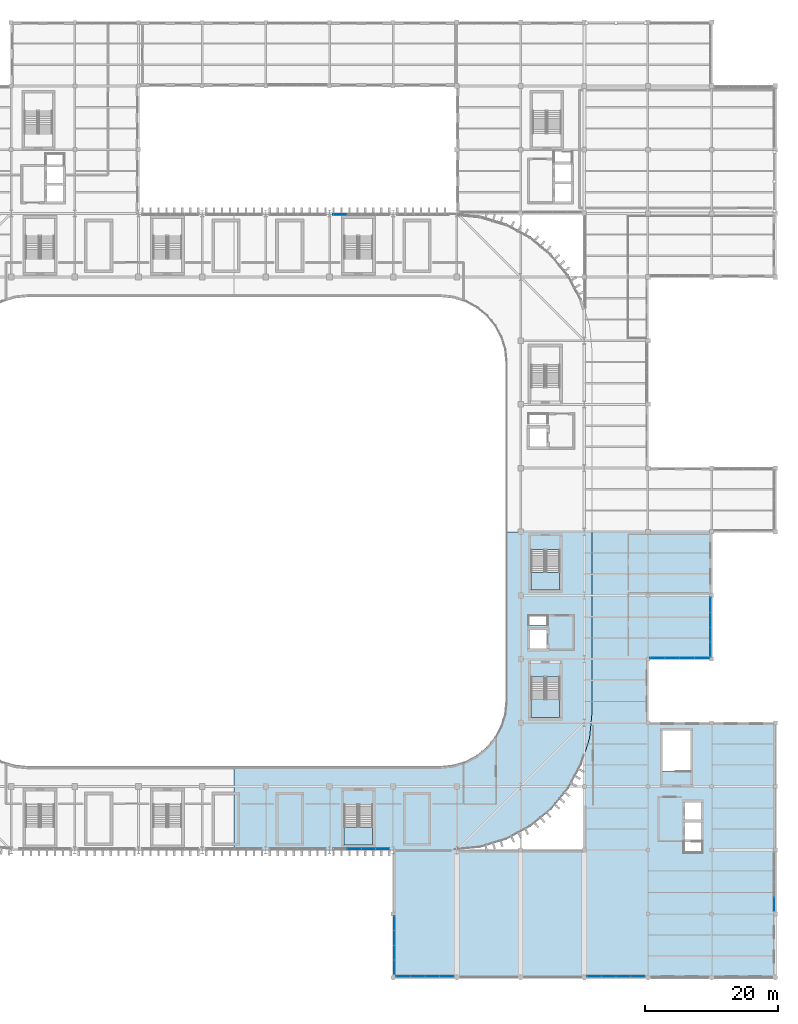
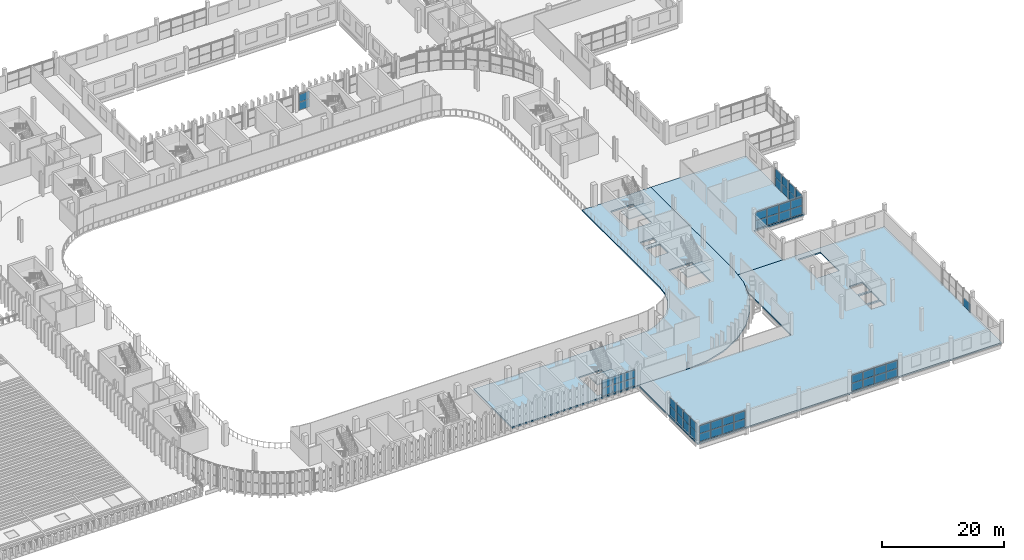
# One storey, part 51 of 92: 49 plates, 6 slabs, 11 elements without a shape of their own.
"""IFC4 building model written with IfcOpenShell, lengths in metres."""

from ifc_helpers import new_model, si_unit, direction, frame, origin, origin_2d, place, context, subcontext, project, spatial, polyline, rectangle, outline, extrude, material, layer, layer_set, type_object, element, aggregate, save


model = new_model("IFC4")

# Units and contexts
model_context = context("Model", 3, precision=1e-05, world=origin(), true_north=direction((0.0, 1.0)))
body_context = subcontext(model_context, "Body", "Model", "MODEL_VIEW")
ifc_project = project(units=[si_unit("LENGTHUNIT", "METRE"), si_unit("AREAUNIT", "SQUARE_METRE"), si_unit("VOLUMEUNIT", "CUBIC_METRE"), si_unit("PLANEANGLEUNIT", "RADIAN"), si_unit("MASSUNIT", "GRAM", prefix="KILO")], contexts=[model_context])

# Site, building, storey
site_placement = place(None, origin())
site = spatial("IfcSite", under=ifc_project, at=site_placement, CompositionType="ELEMENT")
building_placement = place(site_placement, origin())
building = spatial("IfcBuilding", under=site, at=building_placement, Name="Caelomonte Colonnade Arena", CompositionType="ELEMENT")
storey_placement = place(building_placement, frame((0.0, 0.0, 9.60009765625)))
storey = spatial("IfcBuildingStorey", under=building, at=storey_placement, Name="L02", CompositionType="ELEMENT", Elevation=9.60009765625)

# Curtain wall, plates
ifc_material_1 = material(Name="Bronze anodised aluminium and low-E glazing", Category="aluminium")
ifc_layer_1 = layer(ifc_material_1, 0.179931640625)
ifc_layer_set_1 = layer_set([ifc_layer_1], Name="Bronze anodised aluminium and low-E glazing")
curtain_wall_type_1 = type_object("IfcCurtainWallType", Name="ENV-CW-CW-L02-96-33", PredefinedType="USERDEFINED", material=ifc_layer_set_1)
curtain_wall_1_placement = place(storey_placement, origin())
curtain_wall_1 = element("IfcCurtainWall", 1, at=curtain_wall_1_placement, inside=storey, type_object=curtain_wall_type_1, Name="L02 unitized curtain wall CW-L02-1296-0194", ObjectType="UNITIZED CURTAIN WALL", PredefinedType="USERDEFINED")
ifc_material_2 = material(Name="Solar-control bronze low-E double glazing", Category="glass")
ifc_layer_2 = layer(ifc_material_2, 0.028076171875)
ifc_layer_set_2 = layer_set([ifc_layer_2], Name="Solar-control bronze low-E double glazing")
plate_type = type_object("IfcPlateType", Name="ENV-CW-PAN28", PredefinedType="CURTAIN_PANEL", material=ifc_layer_set_2)
plate_1_placement = place(storey_placement, frame((128.531494140625, 19.3798828125, 0.06982421875), z_axis=(0.0, 0.0, 1.0), x_axis=(1.0, 0.0, 0.0)))
plate_1 = element("IfcPlate", 2, at=plate_1_placement, type_object=plate_type, Name="CW-L02-96-33 panel 2.1", PredefinedType="CURTAIN_PANEL", context=body_context, shape_type="SweptSolid", body=[
    extrude(rectangle(XDim=2.067138671875, YDim=0.028076171875, at=origin_2d()), origin(), (0.0, 0.0, 1.0), 1.54150390625),
])
plate_2_placement = place(storey_placement, frame((128.531494140625, 19.3798828125, 1.681396484375), z_axis=(0.0, 0.0, 1.0), x_axis=(1.0, 0.0, 0.0)))
plate_2 = element("IfcPlate", 3, at=plate_2_placement, type_object=plate_type, Name="CW-L02-96-33 panel 2.2", PredefinedType="CURTAIN_PANEL", context=body_context, shape_type="SweptSolid", body=[
    extrude(rectangle(XDim=2.067138671875, YDim=0.028076171875, at=origin_2d()), origin(), (0.0, 0.0, 1.0), 1.54150390625),
])
plate_3_placement = place(storey_placement, frame((130.668701171875, 19.3798828125, 0.06982421875), z_axis=(0.0, 0.0, 1.0), x_axis=(1.0, 0.0, 0.0)))
plate_3 = element("IfcPlate", 4, at=plate_3_placement, type_object=plate_type, Name="CW-L02-96-33 panel 3.1", PredefinedType="CURTAIN_PANEL", context=body_context, shape_type="SweptSolid", body=[
    extrude(rectangle(XDim=2.067138671875, YDim=0.028076171875, at=origin_2d()), origin(), (0.0, 0.0, 1.0), 1.54150390625),
])
plate_4_placement = place(storey_placement, frame((130.668701171875, 19.3798828125, 1.681396484375), z_axis=(0.0, 0.0, 1.0), x_axis=(1.0, 0.0, 0.0)))
plate_4 = element("IfcPlate", 5, at=plate_4_placement, type_object=plate_type, Name="CW-L02-96-33 panel 3.2", PredefinedType="CURTAIN_PANEL", context=body_context, shape_type="SweptSolid", body=[
    extrude(rectangle(XDim=2.067138671875, YDim=0.028076171875, at=origin_2d()), origin(), (0.0, 0.0, 1.0), 1.54150390625),
])
plate_5_placement = place(storey_placement, frame((132.788330078125, 19.3798828125, 0.06982421875), z_axis=(0.0, 0.0, 1.0), x_axis=(1.0, 0.0, 0.0)))
plate_5 = element("IfcPlate", 6, at=plate_5_placement, type_object=plate_type, Name="CW-L02-96-33 panel 4.1", PredefinedType="CURTAIN_PANEL", context=body_context, shape_type="SweptSolid", body=[
    extrude(rectangle(XDim=2.0322265625, YDim=0.028076171875, at=origin_2d()), origin(), (0.0, 0.0, 1.0), 1.54150390625),
])
plate_6_placement = place(storey_placement, frame((132.788330078125, 19.3798828125, 1.681396484375), z_axis=(0.0, 0.0, 1.0), x_axis=(1.0, 0.0, 0.0)))
plate_6 = element("IfcPlate", 7, at=plate_6_placement, type_object=plate_type, Name="CW-L02-96-33 panel 4.2", PredefinedType="CURTAIN_PANEL", context=body_context, shape_type="SweptSolid", body=[
    extrude(rectangle(XDim=2.0322265625, YDim=0.028076171875, at=origin_2d()), origin(), (0.0, 0.0, 1.0), 1.54150390625),
])
aggregate(curtain_wall_1, [plate_1, plate_2, plate_3, plate_4, plate_5, plate_6])

ifc_layer_3 = layer(ifc_material_1, 0.179931640625)
ifc_layer_set_3 = layer_set([ifc_layer_3], Name="Bronze anodised aluminium and low-E glazing")
curtain_wall_type_2 = type_object("IfcCurtainWallType", Name="ENV-CW-CW-L02-92-36", PredefinedType="USERDEFINED", material=ifc_layer_set_3)
curtain_wall_2_placement = place(storey_placement, origin())
curtain_wall_2 = element("IfcCurtainWall", 8, at=curtain_wall_2_placement, inside=storey, type_object=curtain_wall_type_2, Name="L02 unitized curtain wall CW-L02-1346-0050", ObjectType="UNITIZED CURTAIN WALL", PredefinedType="USERDEFINED")
plate_7_placement = place(storey_placement, frame((134.580078125, 8.153076171875, 0.06494140625), z_axis=(0.0, 0.0, 1.0), x_axis=(0.0, -1.0, 0.0)))
plate_7 = element("IfcPlate", 9, at=plate_7_placement, type_object=plate_type, Name="CW-L02-92-36 panel 1.1", PredefinedType="CURTAIN_PANEL", context=body_context, shape_type="SweptSolid", body=[
    extrude(rectangle(XDim=2.123779296875, YDim=0.028076171875, at=origin_2d()), origin(), (0.0, 0.0, 1.0), 1.708984375),
])
plate_8_placement = place(storey_placement, frame((134.580078125, 8.153076171875, 1.8388671875), z_axis=(0.0, 0.0, 1.0), x_axis=(0.0, -1.0, 0.0)))
plate_8 = element("IfcPlate", 10, at=plate_8_placement, type_object=plate_type, Name="CW-L02-92-36 panel 1.2", PredefinedType="CURTAIN_PANEL", context=body_context, shape_type="SweptSolid", body=[
    extrude(rectangle(XDim=2.123779296875, YDim=0.028076171875, at=origin_2d()), origin(), (0.0, 0.0, 1.0), 1.708984375),
])
plate_9_placement = place(storey_placement, frame((134.580078125, 5.9482421875, 0.06494140625), z_axis=(0.0, 0.0, 1.0), x_axis=(0.0, -1.0, 0.0)))
plate_9 = element("IfcPlate", 11, at=plate_9_placement, type_object=plate_type, Name="CW-L02-92-36 panel 2.1", PredefinedType="CURTAIN_PANEL", context=body_context, shape_type="SweptSolid", body=[
    extrude(rectangle(XDim=2.15625, YDim=0.028076171875, at=origin_2d()), origin(), (0.0, 0.0, 1.0), 1.708984375),
])
plate_10_placement = place(storey_placement, frame((134.580078125, 5.9482421875, 1.8388671875), z_axis=(0.0, 0.0, 1.0), x_axis=(0.0, -1.0, 0.0)))
plate_10 = element("IfcPlate", 12, at=plate_10_placement, type_object=plate_type, Name="CW-L02-92-36 panel 2.2", PredefinedType="CURTAIN_PANEL", context=body_context, shape_type="SweptSolid", body=[
    extrude(rectangle(XDim=2.15625, YDim=0.028076171875, at=origin_2d()), origin(), (0.0, 0.0, 1.0), 1.708984375),
])
plate_11_placement = place(storey_placement, frame((134.580078125, 3.726806640625, 0.06494140625), z_axis=(0.0, 0.0, 1.0), x_axis=(0.0, -1.0, 0.0)))
plate_11 = element("IfcPlate", 13, at=plate_11_placement, type_object=plate_type, Name="CW-L02-92-36 panel 3.1", PredefinedType="CURTAIN_PANEL", context=body_context, shape_type="SweptSolid", body=[
    extrude(rectangle(XDim=2.15625, YDim=0.028076171875, at=origin_2d()), origin(), (0.0, 0.0, 1.0), 1.708984375),
])
plate_12_placement = place(storey_placement, frame((134.580078125, 3.726806640625, 1.8388671875), z_axis=(0.0, 0.0, 1.0), x_axis=(0.0, -1.0, 0.0)))
plate_12 = element("IfcPlate", 14, at=plate_12_placement, type_object=plate_type, Name="CW-L02-92-36 panel 3.2", PredefinedType="CURTAIN_PANEL", context=body_context, shape_type="SweptSolid", body=[
    extrude(rectangle(XDim=2.15625, YDim=0.028076171875, at=origin_2d()), origin(), (0.0, 0.0, 1.0), 1.708984375),
])
plate_13_placement = place(storey_placement, frame((134.580078125, 1.52197265625, 0.06494140625), z_axis=(0.0, 0.0, 1.0), x_axis=(0.0, -1.0, 0.0)))
plate_13 = element("IfcPlate", 15, at=plate_13_placement, type_object=plate_type, Name="CW-L02-92-36 panel 4.1", PredefinedType="CURTAIN_PANEL", context=body_context, shape_type="SweptSolid", body=[
    extrude(rectangle(XDim=2.123779296875, YDim=0.028076171875, at=origin_2d()), origin(), (0.0, 0.0, 1.0), 1.708984375),
])
plate_14_placement = place(storey_placement, frame((134.580078125, 1.52197265625, 1.8388671875), z_axis=(0.0, 0.0, 1.0), x_axis=(0.0, -1.0, 0.0)))
plate_14 = element("IfcPlate", 16, at=plate_14_placement, type_object=plate_type, Name="CW-L02-92-36 panel 4.2", PredefinedType="CURTAIN_PANEL", context=body_context, shape_type="SweptSolid", body=[
    extrude(rectangle(XDim=2.123779296875, YDim=0.028076171875, at=origin_2d()), origin(), (0.0, 0.0, 1.0), 1.708984375),
])
aggregate(curtain_wall_2, [plate_7, plate_8, plate_9, plate_10, plate_11, plate_12, plate_13, plate_14])

ifc_layer_4 = layer(ifc_material_1, 0.179931640625)
ifc_layer_set_4 = layer_set([ifc_layer_4], Name="Bronze anodised aluminium and low-E glazing")
curtain_wall_type_3 = type_object("IfcCurtainWallType", Name="ENV-CW-CW-L02-89-33", PredefinedType="USERDEFINED", material=ifc_layer_set_4)
curtain_wall_3_placement = place(storey_placement, origin())
curtain_wall_3 = element("IfcCurtainWall", 17, at=curtain_wall_3_placement, inside=storey, type_object=curtain_wall_type_3, Name="L02 unitized curtain wall CW-L02-1392-0002", ObjectType="UNITIZED CURTAIN WALL", PredefinedType="USERDEFINED")
plate_15_placement = place(storey_placement, frame((135.91259765625, 0.179931640625, 0.06494140625), z_axis=(0.0, 0.0, 1.0), x_axis=(1.0, 0.0, 0.0)))
plate_15 = element("IfcPlate", 18, at=plate_15_placement, type_object=plate_type, Name="CW-L02-89-33 panel 1.1", PredefinedType="CURTAIN_PANEL", context=body_context, shape_type="SweptSolid", body=[
    extrude(rectangle(XDim=2.10498046875, YDim=0.028076171875, at=origin_2d()), origin(), (0.0, 0.0, 1.0), 1.549072265625),
])
plate_16_placement = place(storey_placement, frame((135.91259765625, 0.179931640625, 1.6787109375), z_axis=(0.0, 0.0, 1.0), x_axis=(1.0, 0.0, 0.0)))
plate_16 = element("IfcPlate", 19, at=plate_16_placement, type_object=plate_type, Name="CW-L02-89-33 panel 1.2", PredefinedType="CURTAIN_PANEL", context=body_context, shape_type="SweptSolid", body=[
    extrude(rectangle(XDim=2.10498046875, YDim=0.028076171875, at=origin_2d()), origin(), (0.0, 0.0, 1.0), 1.549072265625),
])
plate_17_placement = place(storey_placement, frame((138.0986328125, 0.179931640625, 0.06494140625), z_axis=(0.0, 0.0, 1.0), x_axis=(1.0, 0.0, 0.0)))
plate_17 = element("IfcPlate", 20, at=plate_17_placement, type_object=plate_type, Name="CW-L02-89-33 panel 2.1", PredefinedType="CURTAIN_PANEL", context=body_context, shape_type="SweptSolid", body=[
    extrude(rectangle(XDim=2.137451171875, YDim=0.028076171875, at=origin_2d()), origin(), (0.0, 0.0, 1.0), 1.549072265625),
])
plate_18_placement = place(storey_placement, frame((138.0986328125, 0.179931640625, 1.6787109375), z_axis=(0.0, 0.0, 1.0), x_axis=(1.0, 0.0, 0.0)))
plate_18 = element("IfcPlate", 21, at=plate_18_placement, type_object=plate_type, Name="CW-L02-89-33 panel 2.2", PredefinedType="CURTAIN_PANEL", context=body_context, shape_type="SweptSolid", body=[
    extrude(rectangle(XDim=2.137451171875, YDim=0.028076171875, at=origin_2d()), origin(), (0.0, 0.0, 1.0), 1.549072265625),
])
plate_19_placement = place(storey_placement, frame((140.30126953125, 0.179931640625, 0.06494140625), z_axis=(0.0, 0.0, 1.0), x_axis=(1.0, 0.0, 0.0)))
plate_19 = element("IfcPlate", 22, at=plate_19_placement, type_object=plate_type, Name="CW-L02-89-33 panel 3.1", PredefinedType="CURTAIN_PANEL", context=body_context, shape_type="SweptSolid", body=[
    extrude(rectangle(XDim=2.137451171875, YDim=0.028076171875, at=origin_2d()), origin(), (0.0, 0.0, 1.0), 1.549072265625),
])
plate_20_placement = place(storey_placement, frame((140.30126953125, 0.179931640625, 1.6787109375), z_axis=(0.0, 0.0, 1.0), x_axis=(1.0, 0.0, 0.0)))
plate_20 = element("IfcPlate", 23, at=plate_20_placement, type_object=plate_type, Name="CW-L02-89-33 panel 3.2", PredefinedType="CURTAIN_PANEL", context=body_context, shape_type="SweptSolid", body=[
    extrude(rectangle(XDim=2.137451171875, YDim=0.028076171875, at=origin_2d()), origin(), (0.0, 0.0, 1.0), 1.549072265625),
])
plate_21_placement = place(storey_placement, frame((142.487548828125, 0.179931640625, 0.06494140625), z_axis=(0.0, 0.0, 1.0), x_axis=(1.0, 0.0, 0.0)))
plate_21 = element("IfcPlate", 24, at=plate_21_placement, type_object=plate_type, Name="CW-L02-89-33 panel 4.1", PredefinedType="CURTAIN_PANEL", context=body_context, shape_type="SweptSolid", body=[
    extrude(rectangle(XDim=2.10498046875, YDim=0.028076171875, at=origin_2d()), origin(), (0.0, 0.0, 1.0), 1.549072265625),
])
plate_22_placement = place(storey_placement, frame((142.487548828125, 0.179931640625, 1.6787109375), z_axis=(0.0, 0.0, 1.0), x_axis=(1.0, 0.0, 0.0)))
plate_22 = element("IfcPlate", 25, at=plate_22_placement, type_object=plate_type, Name="CW-L02-89-33 panel 4.2", PredefinedType="CURTAIN_PANEL", context=body_context, shape_type="SweptSolid", body=[
    extrude(rectangle(XDim=2.10498046875, YDim=0.028076171875, at=origin_2d()), origin(), (0.0, 0.0, 1.0), 1.549072265625),
])
aggregate(curtain_wall_3, [plate_15, plate_16, plate_17, plate_18, plate_19, plate_20, plate_21, plate_22])

curtain_wall_4_placement = place(storey_placement, origin())
curtain_wall_4 = element("IfcCurtainWall", 26, at=curtain_wall_4_placement, inside=storey, type_object=curtain_wall_type_3, Name="L02 unitized curtain wall CW-L02-1680-0002", ObjectType="UNITIZED CURTAIN WALL", PredefinedType="USERDEFINED")
plate_23_placement = place(storey_placement, frame((164.71240234375, 0.179931640625, 0.06494140625), z_axis=(0.0, 0.0, 1.0), x_axis=(1.0, 0.0, 0.0)))
plate_23 = element("IfcPlate", 27, at=plate_23_placement, type_object=plate_type, Name="CW-L02-89-33 panel 1.1", PredefinedType="CURTAIN_PANEL", context=body_context, shape_type="SweptSolid", body=[
    extrude(rectangle(XDim=2.10498046875, YDim=0.028076171875, at=origin_2d()), origin(), (0.0, 0.0, 1.0), 1.549072265625),
])
plate_24_placement = place(storey_placement, frame((164.71240234375, 0.179931640625, 1.6787109375), z_axis=(0.0, 0.0, 1.0), x_axis=(1.0, 0.0, 0.0)))
plate_24 = element("IfcPlate", 28, at=plate_24_placement, type_object=plate_type, Name="CW-L02-89-33 panel 1.2", PredefinedType="CURTAIN_PANEL", context=body_context, shape_type="SweptSolid", body=[
    extrude(rectangle(XDim=2.10498046875, YDim=0.028076171875, at=origin_2d()), origin(), (0.0, 0.0, 1.0), 1.549072265625),
])
plate_25_placement = place(storey_placement, frame((166.898681640625, 0.179931640625, 0.06494140625), z_axis=(0.0, 0.0, 1.0), x_axis=(1.0, 0.0, 0.0)))
plate_25 = element("IfcPlate", 29, at=plate_25_placement, type_object=plate_type, Name="CW-L02-89-33 panel 2.1", PredefinedType="CURTAIN_PANEL", context=body_context, shape_type="SweptSolid", body=[
    extrude(rectangle(XDim=2.137451171875, YDim=0.028076171875, at=origin_2d()), origin(), (0.0, 0.0, 1.0), 1.549072265625),
])
plate_26_placement = place(storey_placement, frame((166.898681640625, 0.179931640625, 1.6787109375), z_axis=(0.0, 0.0, 1.0), x_axis=(1.0, 0.0, 0.0)))
plate_26 = element("IfcPlate", 30, at=plate_26_placement, type_object=plate_type, Name="CW-L02-89-33 panel 2.2", PredefinedType="CURTAIN_PANEL", context=body_context, shape_type="SweptSolid", body=[
    extrude(rectangle(XDim=2.137451171875, YDim=0.028076171875, at=origin_2d()), origin(), (0.0, 0.0, 1.0), 1.549072265625),
])
plate_27_placement = place(storey_placement, frame((169.101318359375, 0.179931640625, 0.06494140625), z_axis=(0.0, 0.0, 1.0), x_axis=(1.0, 0.0, 0.0)))
plate_27 = element("IfcPlate", 31, at=plate_27_placement, type_object=plate_type, Name="CW-L02-89-33 panel 3.1", PredefinedType="CURTAIN_PANEL", context=body_context, shape_type="SweptSolid", body=[
    extrude(rectangle(XDim=2.137451171875, YDim=0.028076171875, at=origin_2d()), origin(), (0.0, 0.0, 1.0), 1.549072265625),
])
plate_28_placement = place(storey_placement, frame((169.101318359375, 0.179931640625, 1.6787109375), z_axis=(0.0, 0.0, 1.0), x_axis=(1.0, 0.0, 0.0)))
plate_28 = element("IfcPlate", 32, at=plate_28_placement, type_object=plate_type, Name="CW-L02-89-33 panel 3.2", PredefinedType="CURTAIN_PANEL", context=body_context, shape_type="SweptSolid", body=[
    extrude(rectangle(XDim=2.137451171875, YDim=0.028076171875, at=origin_2d()), origin(), (0.0, 0.0, 1.0), 1.549072265625),
])
plate_29_placement = place(storey_placement, frame((171.28759765625, 0.179931640625, 0.06494140625), z_axis=(0.0, 0.0, 1.0), x_axis=(1.0, 0.0, 0.0)))
plate_29 = element("IfcPlate", 33, at=plate_29_placement, type_object=plate_type, Name="CW-L02-89-33 panel 4.1", PredefinedType="CURTAIN_PANEL", context=body_context, shape_type="SweptSolid", body=[
    extrude(rectangle(XDim=2.10498046875, YDim=0.028076171875, at=origin_2d()), origin(), (0.0, 0.0, 1.0), 1.549072265625),
])
plate_30_placement = place(storey_placement, frame((171.28759765625, 0.179931640625, 1.6787109375), z_axis=(0.0, 0.0, 1.0), x_axis=(1.0, 0.0, 0.0)))
plate_30 = element("IfcPlate", 34, at=plate_30_placement, type_object=plate_type, Name="CW-L02-89-33 panel 4.2", PredefinedType="CURTAIN_PANEL", context=body_context, shape_type="SweptSolid", body=[
    extrude(rectangle(XDim=2.10498046875, YDim=0.028076171875, at=origin_2d()), origin(), (0.0, 0.0, 1.0), 1.549072265625),
])
aggregate(curtain_wall_4, [plate_23, plate_24, plate_25, plate_26, plate_27, plate_28, plate_29, plate_30])

# Curtain wall, plate
ifc_layer_5 = layer(ifc_material_1, 0.179931640625)
ifc_layer_set_5 = layer_set([ifc_layer_5], Name="Bronze anodised aluminium and low-E glazing")
curtain_wall_type_4 = type_object("IfcCurtainWallType", Name="ENV-CW-CW-L02-96-35", PredefinedType="USERDEFINED", material=ifc_layer_set_5)
curtain_wall_5_placement = place(storey_placement, origin())
curtain_wall_5 = element("IfcCurtainWall", 35, at=curtain_wall_5_placement, inside=storey, type_object=curtain_wall_type_4, Name="L02 unitized curtain wall CW-L02-1918-0144", ObjectType="UNITIZED CURTAIN WALL", PredefinedType="USERDEFINED")
plate_31_placement = place(storey_placement, frame((191.820068359375, 11.05615234375, 0.06494140625), z_axis=(0.0, 0.0, 1.0), x_axis=(0.0, 1.0, 0.0)))
plate_31 = element("IfcPlate", 36, at=plate_31_placement, type_object=plate_type, Name="CW-L02-96-35 panel 1.1", PredefinedType="CURTAIN_PANEL", context=body_context, shape_type="SweptSolid", body=[
    extrude(rectangle(XDim=2.142578125, YDim=0.028076171875, at=origin_2d()), origin(), (0.0, 0.0, 1.0), 1.637451171875),
])
aggregate(curtain_wall_5, [plate_31])

# Curtain wall, plates
curtain_wall_6_placement = place(storey_placement, origin())
curtain_wall_6 = element("IfcCurtainWall", 37, at=curtain_wall_6_placement, inside=storey, type_object=curtain_wall_type_4, Name="L02 unitized curtain wall CW-L02-1776-0482", ObjectType="UNITIZED CURTAIN WALL", PredefinedType="USERDEFINED")
plate_32_placement = place(storey_placement, frame((174.25634765625, 48.179931640625, 0.06494140625), z_axis=(0.0, 0.0, 1.0), x_axis=(1.0, 0.0, 0.0)))
plate_32 = element("IfcPlate", 38, at=plate_32_placement, type_object=plate_type, Name="CW-L02-96-35 panel 1.1", PredefinedType="CURTAIN_PANEL", context=body_context, shape_type="SweptSolid", body=[
    extrude(rectangle(XDim=2.142578125, YDim=0.028076171875, at=origin_2d()), origin(), (0.0, 0.0, 1.0), 1.63525390625),
])
plate_33_placement = place(storey_placement, frame((174.25634765625, 48.179931640625, 1.76513671875), z_axis=(0.0, 0.0, 1.0), x_axis=(1.0, 0.0, 0.0)))
plate_33 = element("IfcPlate", 39, at=plate_33_placement, type_object=plate_type, Name="CW-L02-96-35 panel 1.2", PredefinedType="CURTAIN_PANEL", context=body_context, shape_type="SweptSolid", body=[
    extrude(rectangle(XDim=2.142578125, YDim=0.028076171875, at=origin_2d()), origin(), (0.0, 0.0, 1.0), 1.63525390625),
])
plate_34_placement = place(storey_placement, frame((176.47998046875, 48.179931640625, 0.06494140625), z_axis=(0.0, 0.0, 1.0), x_axis=(1.0, 0.0, 0.0)))
plate_34 = element("IfcPlate", 40, at=plate_34_placement, type_object=plate_type, Name="CW-L02-96-35 panel 2.1", PredefinedType="CURTAIN_PANEL", context=body_context, shape_type="SweptSolid", body=[
    extrude(rectangle(XDim=2.175048828125, YDim=0.028076171875, at=origin_2d()), origin(), (0.0, 0.0, 1.0), 1.63525390625),
])
plate_35_placement = place(storey_placement, frame((176.47998046875, 48.179931640625, 1.76513671875), z_axis=(0.0, 0.0, 1.0), x_axis=(1.0, 0.0, 0.0)))
plate_35 = element("IfcPlate", 41, at=plate_35_placement, type_object=plate_type, Name="CW-L02-96-35 panel 2.2", PredefinedType="CURTAIN_PANEL", context=body_context, shape_type="SweptSolid", body=[
    extrude(rectangle(XDim=2.175048828125, YDim=0.028076171875, at=origin_2d()), origin(), (0.0, 0.0, 1.0), 1.63525390625),
])
plate_36_placement = place(storey_placement, frame((178.719970703125, 48.179931640625, 0.06494140625), z_axis=(0.0, 0.0, 1.0), x_axis=(1.0, 0.0, 0.0)))
plate_36 = element("IfcPlate", 42, at=plate_36_placement, type_object=plate_type, Name="CW-L02-96-35 panel 3.1", PredefinedType="CURTAIN_PANEL", context=body_context, shape_type="SweptSolid", body=[
    extrude(rectangle(XDim=2.175048828125, YDim=0.028076171875, at=origin_2d()), origin(), (0.0, 0.0, 1.0), 1.63525390625),
])
plate_37_placement = place(storey_placement, frame((178.719970703125, 48.179931640625, 1.76513671875), z_axis=(0.0, 0.0, 1.0), x_axis=(1.0, 0.0, 0.0)))
plate_37 = element("IfcPlate", 43, at=plate_37_placement, type_object=plate_type, Name="CW-L02-96-35 panel 3.2", PredefinedType="CURTAIN_PANEL", context=body_context, shape_type="SweptSolid", body=[
    extrude(rectangle(XDim=2.175048828125, YDim=0.028076171875, at=origin_2d()), origin(), (0.0, 0.0, 1.0), 1.63525390625),
])
plate_38_placement = place(storey_placement, frame((180.94384765625, 48.179931640625, 0.06494140625), z_axis=(0.0, 0.0, 1.0), x_axis=(1.0, 0.0, 0.0)))
plate_38 = element("IfcPlate", 44, at=plate_38_placement, type_object=plate_type, Name="CW-L02-96-35 panel 4.1", PredefinedType="CURTAIN_PANEL", context=body_context, shape_type="SweptSolid", body=[
    extrude(rectangle(XDim=2.142578125, YDim=0.028076171875, at=origin_2d()), origin(), (0.0, 0.0, 1.0), 1.63525390625),
])
plate_39_placement = place(storey_placement, frame((180.94384765625, 48.179931640625, 1.76513671875), z_axis=(0.0, 0.0, 1.0), x_axis=(1.0, 0.0, 0.0)))
plate_39 = element("IfcPlate", 45, at=plate_39_placement, type_object=plate_type, Name="CW-L02-96-35 panel 4.2", PredefinedType="CURTAIN_PANEL", context=body_context, shape_type="SweptSolid", body=[
    extrude(rectangle(XDim=2.142578125, YDim=0.028076171875, at=origin_2d()), origin(), (0.0, 0.0, 1.0), 1.63525390625),
])
aggregate(curtain_wall_6, [plate_32, plate_33, plate_34, plate_35, plate_36, plate_37, plate_38, plate_39])

ifc_layer_6 = layer(ifc_material_1, 0.179931640625)
ifc_layer_set_6 = layer_set([ifc_layer_6], Name="Bronze anodised aluminium and low-E glazing")
curtain_wall_type_5 = type_object("IfcCurtainWallType", Name="ENV-CW-CW-L02-96-36", PredefinedType="USERDEFINED", material=ifc_layer_set_6)
curtain_wall_7_placement = place(storey_placement, origin())
curtain_wall_7 = element("IfcCurtainWall", 46, at=curtain_wall_7_placement, inside=storey, type_object=curtain_wall_type_5, Name="L02 unitized curtain wall CW-L02-1822-0528", ObjectType="UNITIZED CURTAIN WALL", PredefinedType="USERDEFINED")
plate_40_placement = place(storey_placement, frame((182.219970703125, 49.456298828125, 0.06494140625), z_axis=(0.0, 0.0, 1.0), x_axis=(0.0, 1.0, 0.0)))
plate_40 = element("IfcPlate", 47, at=plate_40_placement, type_object=plate_type, Name="CW-L02-96-36 panel 1.1", PredefinedType="CURTAIN_PANEL", context=body_context, shape_type="SweptSolid", body=[
    extrude(rectangle(XDim=2.142578125, YDim=0.028076171875, at=origin_2d()), origin(), (0.0, 0.0, 1.0), 1.708984375),
])
plate_41_placement = place(storey_placement, frame((182.219970703125, 49.456298828125, 1.8388671875), z_axis=(0.0, 0.0, 1.0), x_axis=(0.0, 1.0, 0.0)))
plate_41 = element("IfcPlate", 48, at=plate_41_placement, type_object=plate_type, Name="CW-L02-96-36 panel 1.2", PredefinedType="CURTAIN_PANEL", context=body_context, shape_type="SweptSolid", body=[
    extrude(rectangle(XDim=2.142578125, YDim=0.028076171875, at=origin_2d()), origin(), (0.0, 0.0, 1.0), 1.708984375),
])
plate_42_placement = place(storey_placement, frame((182.219970703125, 51.679931640625, 0.06494140625), z_axis=(0.0, 0.0, 1.0), x_axis=(0.0, 1.0, 0.0)))
plate_42 = element("IfcPlate", 49, at=plate_42_placement, type_object=plate_type, Name="CW-L02-96-36 panel 2.1", PredefinedType="CURTAIN_PANEL", context=body_context, shape_type="SweptSolid", body=[
    extrude(rectangle(XDim=2.175048828125, YDim=0.028076171875, at=origin_2d()), origin(), (0.0, 0.0, 1.0), 1.708984375),
])
plate_43_placement = place(storey_placement, frame((182.219970703125, 51.679931640625, 1.8388671875), z_axis=(0.0, 0.0, 1.0), x_axis=(0.0, 1.0, 0.0)))
plate_43 = element("IfcPlate", 50, at=plate_43_placement, type_object=plate_type, Name="CW-L02-96-36 panel 2.2", PredefinedType="CURTAIN_PANEL", context=body_context, shape_type="SweptSolid", body=[
    extrude(rectangle(XDim=2.175048828125, YDim=0.028076171875, at=origin_2d()), origin(), (0.0, 0.0, 1.0), 1.708984375),
])
plate_44_placement = place(storey_placement, frame((182.219970703125, 53.919921875, 0.06494140625), z_axis=(0.0, 0.0, 1.0), x_axis=(0.0, 1.0, 0.0)))
plate_44 = element("IfcPlate", 51, at=plate_44_placement, type_object=plate_type, Name="CW-L02-96-36 panel 3.1", PredefinedType="CURTAIN_PANEL", context=body_context, shape_type="SweptSolid", body=[
    extrude(rectangle(XDim=2.175048828125, YDim=0.028076171875, at=origin_2d()), origin(), (0.0, 0.0, 1.0), 1.708984375),
])
plate_45_placement = place(storey_placement, frame((182.219970703125, 53.919921875, 1.8388671875), z_axis=(0.0, 0.0, 1.0), x_axis=(0.0, 1.0, 0.0)))
plate_45 = element("IfcPlate", 52, at=plate_45_placement, type_object=plate_type, Name="CW-L02-96-36 panel 3.2", PredefinedType="CURTAIN_PANEL", context=body_context, shape_type="SweptSolid", body=[
    extrude(rectangle(XDim=2.175048828125, YDim=0.028076171875, at=origin_2d()), origin(), (0.0, 0.0, 1.0), 1.708984375),
])
plate_46_placement = place(storey_placement, frame((182.219970703125, 56.143798828125, 0.06494140625), z_axis=(0.0, 0.0, 1.0), x_axis=(0.0, 1.0, 0.0)))
plate_46 = element("IfcPlate", 53, at=plate_46_placement, type_object=plate_type, Name="CW-L02-96-36 panel 4.1", PredefinedType="CURTAIN_PANEL", context=body_context, shape_type="SweptSolid", body=[
    extrude(rectangle(XDim=2.142578125, YDim=0.028076171875, at=origin_2d()), origin(), (0.0, 0.0, 1.0), 1.708984375),
])
plate_47_placement = place(storey_placement, frame((182.219970703125, 56.143798828125, 1.8388671875), z_axis=(0.0, 0.0, 1.0), x_axis=(0.0, 1.0, 0.0)))
plate_47 = element("IfcPlate", 54, at=plate_47_placement, type_object=plate_type, Name="CW-L02-96-36 panel 4.2", PredefinedType="CURTAIN_PANEL", context=body_context, shape_type="SweptSolid", body=[
    extrude(rectangle(XDim=2.142578125, YDim=0.028076171875, at=origin_2d()), origin(), (0.0, 0.0, 1.0), 1.708984375),
])
aggregate(curtain_wall_7, [plate_40, plate_41, plate_42, plate_43, plate_44, plate_45, plate_46, plate_47])

curtain_wall_8_placement = place(storey_placement, origin())
curtain_wall_8 = element("IfcCurtainWall", 55, at=curtain_wall_8_placement, inside=storey, type_object=curtain_wall_type_1, Name="L02 unitized curtain wall CW-L02-1296-1150", ObjectType="UNITIZED CURTAIN WALL", PredefinedType="USERDEFINED")
plate_48_placement = place(storey_placement, frame((126.41162109375, 115.02001953125, 0.06982421875), z_axis=(0.0, 0.0, 1.0), x_axis=(-1.0, 0.0, 0.0)))
plate_48 = element("IfcPlate", 56, at=plate_48_placement, type_object=plate_type, Name="CW-L02-96-33 panel 4.1", PredefinedType="CURTAIN_PANEL", context=body_context, shape_type="SweptSolid", body=[
    extrude(rectangle(XDim=2.0322265625, YDim=0.028076171875, at=origin_2d()), origin(), (0.0, 0.0, 1.0), 1.54150390625),
])
plate_49_placement = place(storey_placement, frame((126.41162109375, 115.02001953125, 1.681396484375), z_axis=(0.0, 0.0, 1.0), x_axis=(-1.0, 0.0, 0.0)))
plate_49 = element("IfcPlate", 57, at=plate_49_placement, type_object=plate_type, Name="CW-L02-96-33 panel 4.2", PredefinedType="CURTAIN_PANEL", context=body_context, shape_type="SweptSolid", body=[
    extrude(rectangle(XDim=2.0322265625, YDim=0.028076171875, at=origin_2d()), origin(), (0.0, 0.0, 1.0), 1.54150390625),
])
aggregate(curtain_wall_8, [plate_48, plate_49])

# Stair, slab
ifc_material_3 = material(Name="Concrete C40/50", Category="concrete")
stair_type_1 = type_object("IfcStairType", Name="INT-ST-WING45", PredefinedType="HALF_TURN_STAIR", material=ifc_material_3)
stair_1_placement = place(storey_placement, origin())
stair_1 = element("IfcStair", 58, at=stair_1_placement, inside=storey, type_object=stair_type_1, Name="L02 Core C2 exit stair ST-02", PredefinedType="HALF_TURN_STAIR")
ifc_layer_7 = layer(ifc_material_3, 0.199951171875)
ifc_layer_set_7 = layer_set([ifc_layer_7], Name="Concrete C40/50")
slab_type_1 = type_object("IfcSlabType", Name="INT-SL-LAND20", PredefinedType="LANDING", material=ifc_layer_set_7)
slab_1_placement = place(storey_placement, frame((0.0, 0.0, 2.0498046875)))
slab_1 = element("IfcSlab", 59, at=slab_1_placement, type_object=slab_type_1, Name="ST-02 landing 1", PredefinedType="LANDING", context=body_context, shape_type="SweptSolid", body=[
    extrude(outline(polyline([(155.199951171875, 41.8798828125), (155.199951171875, 39.199951171875), (159.5, 39.199951171875), (159.5, 41.8798828125), (155.199951171875, 41.8798828125)])), origin(), (0.0, 0.0, 1.0), 0.2001953125),
])
aggregate(stair_1, [slab_1])

stair_type_2 = type_object("IfcStairType", Name="INT-ST-CORE45", PredefinedType="HALF_TURN_STAIR", material=ifc_material_3)
stair_2_placement = place(storey_placement, origin())
stair_2 = element("IfcStair", 60, at=stair_2_placement, inside=storey, type_object=stair_type_2, Name="L02 Protected exit stair ST-10", PredefinedType="HALF_TURN_STAIR")
slab_2_placement = place(storey_placement, frame((0.0, 0.0, 2.0498046875)))
slab_2 = element("IfcSlab", 61, at=slab_2_placement, type_object=slab_type_1, Name="ST-10 landing 1", PredefinedType="LANDING", context=body_context, shape_type="SweptSolid", body=[
    extrude(outline(polyline([(155.199951171875, 61.080078125), (155.199951171875, 58.39990234375), (159.5, 58.39990234375), (159.5, 61.080078125), (155.199951171875, 61.080078125)])), origin(), (0.0, 0.0, 1.0), 0.2001953125),
])
aggregate(stair_2, [slab_2])

stair_3_placement = place(storey_placement, origin())
stair_3 = element("IfcStair", 62, at=stair_3_placement, inside=storey, type_object=stair_type_2, Name="L02 Protected exit stair ST-13", PredefinedType="HALF_TURN_STAIR")
slab_3_placement = place(storey_placement, frame((0.0, 0.0, 2.0498046875)))
slab_3 = element("IfcSlab", 63, at=slab_3_placement, type_object=slab_type_1, Name="ST-13 landing 1", PredefinedType="LANDING", context=body_context, shape_type="SweptSolid", body=[
    extrude(outline(polyline([(127.0, 22.679931640625), (127.0, 20.0), (131.300048828125, 20.0), (131.300048828125, 22.679931640625), (127.0, 22.679931640625)])), origin(), (0.0, 0.0, 1.0), 0.2001953125),
])
aggregate(stair_3, [slab_3])

# Slabs
ifc_layer_8 = layer(ifc_material_3, 0.280029296875)
ifc_layer_set_8 = layer_set([ifc_layer_8], Name="Concrete C40/50")
slab_type_2 = type_object("IfcSlabType", Name="STR-SL-FLR28", PredefinedType="FLOOR", material=ifc_layer_set_8)
slab_4_placement = place(storey_placement, frame((0.0, 0.0, -0.280029296875)))
element("IfcSlab", 64, at=slab_4_placement, inside=storey, type_object=slab_type_2, Name="L02 structural floor slab SL-L02-V1-SE", PredefinedType="FLOOR", context=body_context, shape_type="SweptSolid", body=[
    extrude(outline(polyline([(164.39990234375, 40.199951171875), (164.39990234375, 67.199951171875), (151.39990234375, 67.199951171875), (151.39990234375, 41.800048828125), (151.2080078125, 39.84912109375), (150.638916015625, 37.97314453125), (149.714599609375, 36.244384765625), (148.47119140625, 34.72900390625), (146.955810546875, 33.4853515625), (145.226806640625, 32.561279296875), (143.350830078125, 31.9921875), (141.39990234375, 31.800048828125), (110.39990234375, 31.800048828125), (110.39990234375, 19.199951171875), (143.39990234375, 19.199951171875), (147.496826171875, 19.603515625), (151.436279296875, 20.798583984375), (155.06689453125, 22.739013671875), (158.249267578125, 25.350830078125), (160.86083984375, 28.532958984375), (162.801513671875, 32.16357421875), (163.99658203125, 36.10302734375), (164.39990234375, 40.199951171875)]), holes=[polyline([(131.300048828125, 26.10009765625), (131.300048828125, 20.0), (127.0, 20.0), (127.0, 26.10009765625), (131.300048828125, 26.10009765625)]), polyline([(159.5, 45.300048828125), (159.5, 39.199951171875), (155.199951171875, 39.199951171875), (155.199951171875, 45.300048828125), (159.5, 45.300048828125)]), polyline([(154.97998046875, 49.580078125), (154.97998046875, 52.419921875), (157.52001953125, 52.419921875), (157.52001953125, 49.580078125), (154.97998046875, 49.580078125)]), polyline([(154.97998046875, 54.419921875), (157.52001953125, 54.419921875), (157.52001953125, 53.179931640625), (154.97998046875, 53.179931640625), (154.97998046875, 54.419921875)]), polyline([(159.5, 58.39990234375), (155.199951171875, 58.39990234375), (155.199951171875, 64.5), (159.5, 64.5), (159.5, 58.39990234375)])]), origin(), (0.0, 0.0, 1.0), 0.280029296875),
])
slab_5_placement = place(storey_placement, frame((0.0, 0.0, -0.280029296875)))
element("IfcSlab", 65, at=slab_5_placement, inside=storey, type_object=slab_type_2, Name="L02 structural floor slab SL-L02-V3", PredefinedType="FLOOR", context=body_context, shape_type="SweptSolid", body=[
    extrude(outline(polyline([(134.39990234375, 0.0), (192.0, 0.0), (192.0, 19.199951171875), (192.0, 38.39990234375), (164.22265625, 38.39990234375), (163.99658203125, 36.10302734375), (163.199951171875, 33.477294921875), (163.199951171875, 19.199951171875), (143.39990234375, 19.199951171875), (134.39990234375, 19.199951171875), (134.39990234375, 0.0)]), holes=[polyline([(178.3798828125, 18.97998046875), (178.3798828125, 20.419921875), (180.820068359375, 20.419921875), (180.820068359375, 18.97998046875), (178.3798828125, 18.97998046875)]), polyline([(178.3798828125, 20.780029296875), (178.3798828125, 23.419921875), (180.820068359375, 23.419921875), (180.820068359375, 20.780029296875), (178.3798828125, 20.780029296875)]), polyline([(178.3798828125, 23.780029296875), (178.3798828125, 26.419921875), (180.820068359375, 26.419921875), (180.820068359375, 23.780029296875), (178.3798828125, 23.780029296875)]), polyline([(175.0, 31.10009765625), (175.0, 37.25), (179.199951171875, 37.25), (179.199951171875, 31.10009765625), (175.0, 31.10009765625)])]), origin(), (0.0, 0.0, 1.0), 0.280029296875),
])
slab_6_placement = place(storey_placement, frame((0.0, 0.0, -0.280029296875)))
element("IfcSlab", 66, at=slab_6_placement, inside=storey, type_object=slab_type_2, Name="L02 structural floor slab SL-L02-V4-LINK", PredefinedType="FLOOR", context=body_context, shape_type="SweptSolid", body=[
    extrude(outline(polyline([(182.39990234375, 67.199951171875), (164.39990234375, 67.199951171875), (164.39990234375, 40.199951171875), (164.22265625, 38.39990234375), (172.800048828125, 38.39990234375), (172.800048828125, 48.0), (182.39990234375, 48.0), (182.39990234375, 67.199951171875)])), origin(), (0.0, 0.0, 1.0), 0.280029296875),
])

save(model, "model.ifc")
